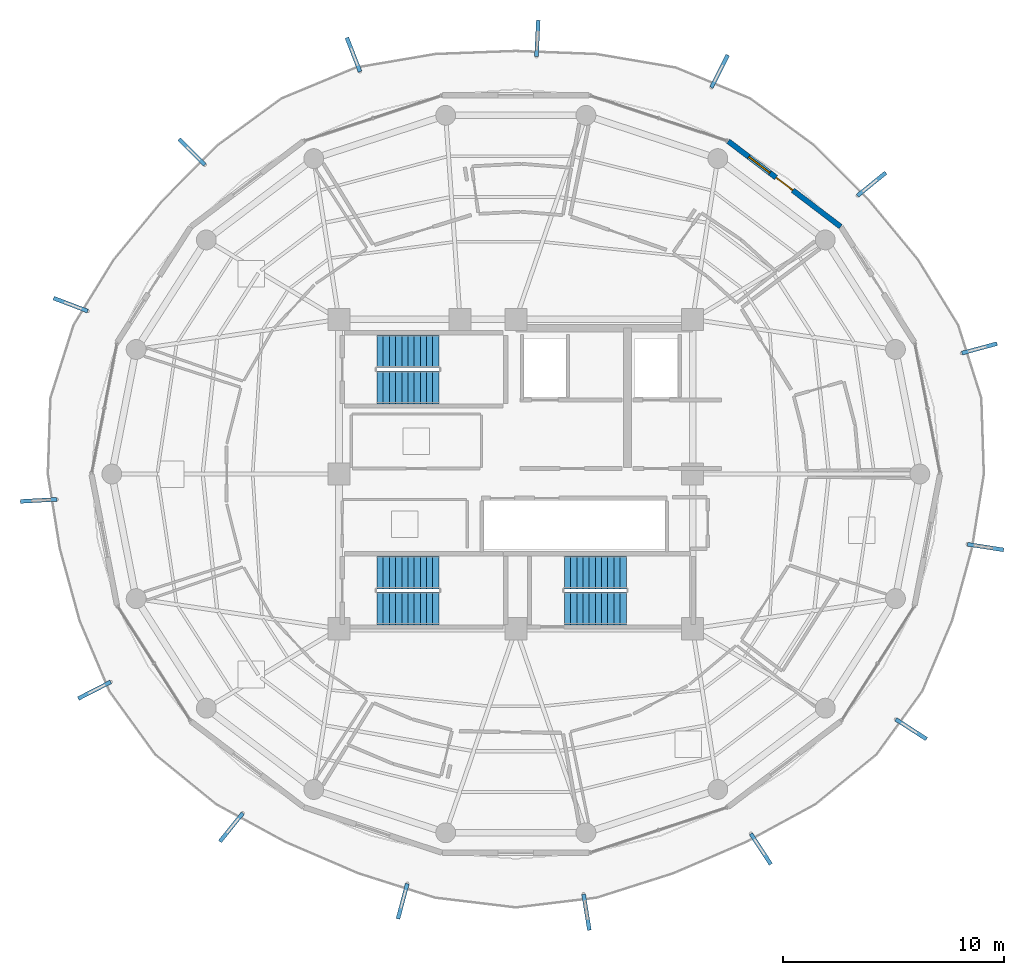
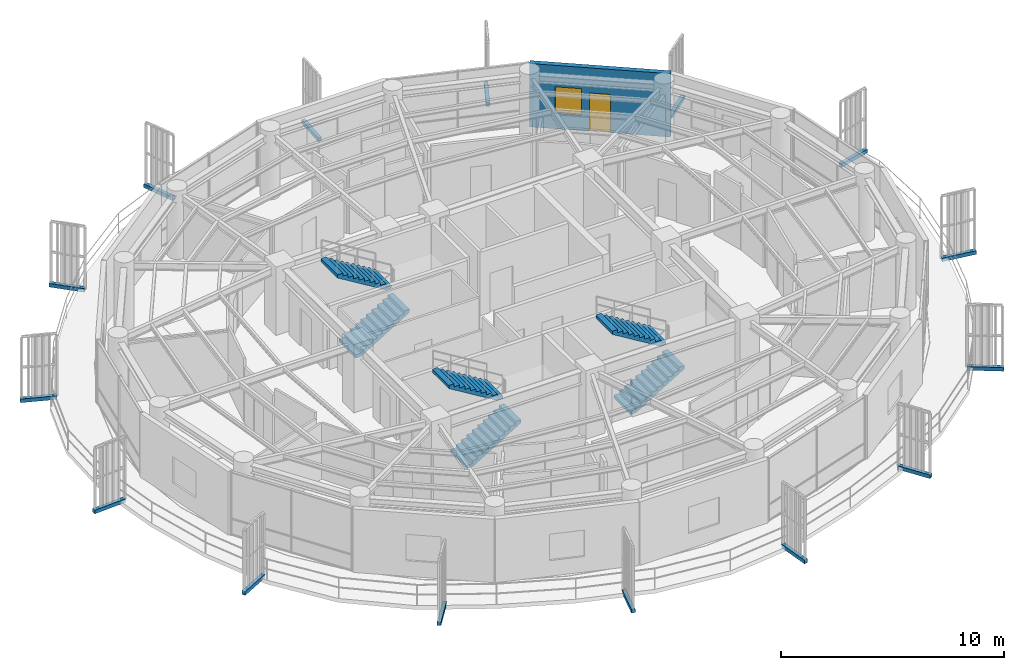
# One storey, part 19 of 23: 15 discrete accessories, 6 stair flights, 1 door, 1 wall, 1 window, 2 openings, 3 elements without a shape of their own.
"""IFC4 building model written with IfcOpenShell, lengths in metres."""

from ifc_helpers import new_model, si_unit, direction, frame, frame_2d, origin, origin_2d, place, context, subcontext, project, spatial, polyline, rectangle, outline, extrude, source, transform, mapped, material, layer, layer_set, type_object, element, fill, aggregate, save


model = new_model("IFC4")

# Units and contexts
model_context = context("Model", 3, precision=1e-05, world=origin(), true_north=direction((0.0, 1.0)))
body_context = subcontext(model_context, "Body", "Model", "MODEL_VIEW")
ifc_project = project(units=[si_unit("LENGTHUNIT", "METRE"), si_unit("AREAUNIT", "SQUARE_METRE"), si_unit("VOLUMEUNIT", "CUBIC_METRE"), si_unit("PLANEANGLEUNIT", "RADIAN"), si_unit("MASSUNIT", "GRAM", prefix="KILO")], contexts=[model_context])

# Site, building, storey
site_placement = place(None, origin())
site = spatial("IfcSite", under=ifc_project, at=site_placement, CompositionType="ELEMENT")
building_placement = place(site_placement, origin())
building = spatial("IfcBuilding", under=site, at=building_placement, Name="Kelanora Arch Commons", CompositionType="ELEMENT")
storey_placement = place(building_placement, frame((0.0, 0.0, 256.199951171875)))
storey = spatial("IfcBuildingStorey", under=building, at=storey_placement, Name="L65", CompositionType="ELEMENT", Elevation=256.199951171875)

# Wall, openings, door, window
ifc_material_1 = material(Name="Precast concrete C40/50 upper-zone terracotta rainscreen", Category="masonry")
ifc_layer = layer(ifc_material_1, 0.239990234375)
ifc_layer_set = layer_set([ifc_layer], Name="Precast concrete C40/50 upper-zone terracotta rainscreen")
wall_type = type_object("IfcWallType", Name="W-EXT-TC2", PredefinedType="SOLIDWALL", material=ifc_layer_set)
wall_placement = place(storey_placement, frame((88.6962890625, 69.193603515625, 0.0), z_axis=(0.0, 0.0, 1.0), x_axis=(-0.796010444211, 0.605282886514, 0.0)))
wall = element("IfcWall", 1, at=wall_placement, inside=storey, type_object=wall_type, Name="Terracotta Exterior Wall L65-B02", PredefinedType="SOLIDWALL", context=body_context, shape_type="SweptSolid", body=[
    extrude(rectangle(XDim=6.387451171875, YDim=0.239990234375, at=frame_2d((3.19384765625, 0.0))), origin(), (0.0, 0.0, 1.0), 3.47509765625),
])
opening_1_placement = place(wall_placement, frame((2.718994140625, 0.0, 0.0)))
opening_1 = element("IfcOpeningElement", 2, at=opening_1_placement, cuts=wall, Name="Opening DB-01", PredefinedType="OPENING", context=body_context, shape_type="SweptSolid", body=[
    extrude(rectangle(XDim=0.949951171875, YDim=2.10009765625, at=frame_2d((0.47509765625, 1.050048828125))), frame((0.0, 0.1298828125, 0.0), z_axis=(0.0, -1.0, 0.0), x_axis=(1.0, 0.0, 0.0)), (0.0, 0.0, 1.0), 0.260009765625),
])
opening_2_placement = place(wall_placement, frame((4.01904296875, 0.0, 0.85009765625)))
opening_2 = element("IfcOpeningElement", 3, at=opening_2_placement, cuts=wall, Name="Opening WN-02", PredefinedType="OPENING", context=body_context, shape_type="SweptSolid", body=[
    extrude(rectangle(XDim=1.199951171875, YDim=1.449951171875, at=frame_2d((0.60009765625, 0.72509765625))), frame((0.0, 0.1298828125, 0.0), z_axis=(0.0, -1.0, 0.0), x_axis=(1.0, 0.0, 0.0)), (0.0, 0.0, 1.0), 0.260009765625),
])
ifc_material_2 = material(Name="Terracotta-aluminium thermally broken glazed balcony door", Category="masonry")
door_type = type_object("IfcDoorType", Name="D-BAL-10", OperationType="NOTDEFINED", PredefinedType="DOOR", material=ifc_material_2)
door_placement = place(opening_1_placement, frame((0.949951171875, 0.0, 0.0), z_axis=(0.0, 0.0, 1.0), x_axis=(-1.0, 0.0, 0.0)))
door = element("IfcDoor", 4, at=door_placement, inside=storey, type_object=door_type, Name="Wave Balcony Door L65-B02", OperationType="SINGLE_SWING_RIGHT", OverallHeight=2.10009765625, OverallWidth=0.949951171875, PredefinedType="DOOR", context=body_context, shape_type="SweptSolid", body=[
    extrude(rectangle(XDim=0.949951171875, YDim=2.10009765625, at=frame_2d((0.47509765625, 1.050048828125))), frame((0.0, 0.02490234375, 0.0), z_axis=(0.0, -1.0, 0.0), x_axis=(1.0, 0.0, 0.0)), (0.0, 0.0, 1.0), 0.050048828125),
])
fill(opening_1, door)
ifc_material_3 = material(Name="Terracotta-anodised aluminium frame with operable awning sash", Category="masonry")
window_type = type_object("IfcWindowType", Name="WIN-CL-12", PartitioningType="SINGLE_PANEL", PredefinedType="WINDOW", material=ifc_material_3)
window_placement = place(opening_2_placement, origin())
window = element("IfcWindow", 5, at=window_placement, inside=storey, type_object=window_type, Name="Co-Living Operable Window L65-B02", OverallHeight=1.449951171875, OverallWidth=1.199951171875, PartitioningType="SINGLE_PANEL", PredefinedType="WINDOW", context=body_context, shape_type="SweptSolid", body=[
    extrude(rectangle(XDim=1.199951171875, YDim=1.449951171875, at=frame_2d((0.60009765625, 0.72509765625))), frame((0.0, 0.030029296875, 0.0), z_axis=(0.0, -1.0, 0.0), x_axis=(1.0, 0.0, 0.0)), (0.0, 0.0, 1.0), 0.06005859375),
])
fill(opening_2, window)

# Stair, stair flights
ifc_material_4 = material(Name="Concrete C40/50", Category="concrete")
stair_type = type_object("IfcStairType", Name="STR-DL-375", PredefinedType="HALF_TURN_STAIR", material=ifc_material_4)
stair_1_placement = place(storey_placement, origin())
stair_1 = element("IfcStair", 6, at=stair_1_placement, inside=storey, type_object=stair_type, Name="L65 ST-T1", PredefinedType="HALF_TURN_STAIR")
stair_flight_type = type_object("IfcStairFlightType", Name="FLT-DL-375", PredefinedType="STRAIGHT", material=ifc_material_4)
stair_flight_1_placement = place(storey_placement, frame((67.719970703125, 61.919921875, 0.0), z_axis=(0.0, 0.0, 1.0), x_axis=(1.0, 0.0, 0.0)))
stair_flight_1 = element("IfcStairFlight", 7, at=stair_flight_1_placement, type_object=stair_flight_type, Name="ST-T1 flight 1", NumberOfRisers=11, NumberOfTreads=10, PredefinedType="STRAIGHT", RiserHeight=0.170454545, TreadLength=0.28, context=body_context, shape_type="SweptSolid", body=[
    extrude(outline(polyline([(0.0, 0.0), (0.0, 0.17041015625), (0.280029296875, 0.17041015625), (0.280029296875, 0.3408203125), (0.56005859375, 0.3408203125), (0.56005859375, 0.511474609375), (0.840087890625, 0.511474609375), (0.840087890625, 0.681884765625), (1.1201171875, 0.681884765625), (1.1201171875, 0.852294921875), (1.39990234375, 0.852294921875), (1.39990234375, 1.022705078125), (1.679931640625, 1.022705078125), (1.679931640625, 1.193115234375), (1.9599609375, 1.193115234375), (1.9599609375, 1.363525390625), (2.239990234375, 1.363525390625), (2.239990234375, 1.5341796875), (2.52001953125, 1.5341796875), (2.52001953125, 1.70458984375), (2.800048828125, 1.70458984375), (2.800048828125, 1.875), (2.800048828125, 1.529052734375), (0.288330078125, 0.0), (0.0, 0.0)])), frame((0.0, 0.739990234375, 0.0), z_axis=(0.0, -1.0, 0.0), x_axis=(1.0, 0.0, 0.0)), (0.0, 0.0, 1.0), 1.47998046875),
])
stair_flight_2_placement = place(storey_placement, frame((70.52001953125, 63.550048828125, 1.875), z_axis=(0.0, 0.0, 1.0), x_axis=(-1.0, 0.0, 0.0)))
stair_flight_2 = element("IfcStairFlight", 8, at=stair_flight_2_placement, type_object=stair_flight_type, Name="ST-T1 flight 2", NumberOfRisers=11, NumberOfTreads=10, PredefinedType="STRAIGHT", RiserHeight=0.170454545, TreadLength=0.28, context=body_context, shape_type="SweptSolid", body=[
    extrude(outline(polyline([(0.0, 0.0), (0.0, 0.17041015625), (0.280029296875, 0.17041015625), (0.280029296875, 0.3408203125), (0.56005859375, 0.3408203125), (0.56005859375, 0.511474609375), (0.840087890625, 0.511474609375), (0.840087890625, 0.681884765625), (1.1201171875, 0.681884765625), (1.1201171875, 0.852294921875), (1.39990234375, 0.852294921875), (1.39990234375, 1.022705078125), (1.679931640625, 1.022705078125), (1.679931640625, 1.193115234375), (1.9599609375, 1.193115234375), (1.9599609375, 1.363525390625), (2.239990234375, 1.363525390625), (2.239990234375, 1.5341796875), (2.52001953125, 1.5341796875), (2.52001953125, 1.70458984375), (2.800048828125, 1.70458984375), (2.800048828125, 1.875), (2.800048828125, 1.529052734375), (0.288330078125, 0.0), (0.0, 0.0)])), frame((0.0, 0.739990234375, 0.0), z_axis=(0.0, -1.0, 0.0), x_axis=(1.0, 0.0, 0.0)), (0.0, 0.0, 1.0), 1.47998046875),
])
aggregate(stair_1, [stair_flight_1, stair_flight_2])

stair_2_placement = place(storey_placement, origin())
stair_2 = element("IfcStair", 9, at=stair_2_placement, inside=storey, type_object=stair_type, Name="L65 ST-T2", PredefinedType="HALF_TURN_STAIR")
stair_flight_3_placement = place(storey_placement, frame((76.199951171875, 51.919921875, 0.0), z_axis=(0.0, 0.0, 1.0), x_axis=(1.0, 0.0, 0.0)))
stair_flight_3 = element("IfcStairFlight", 10, at=stair_flight_3_placement, type_object=stair_flight_type, Name="ST-T2 flight 1", NumberOfRisers=11, NumberOfTreads=10, PredefinedType="STRAIGHT", RiserHeight=0.170454545, TreadLength=0.28, context=body_context, shape_type="SweptSolid", body=[
    extrude(outline(polyline([(0.0, 0.0), (0.0, 0.17041015625), (0.280029296875, 0.17041015625), (0.280029296875, 0.3408203125), (0.56005859375, 0.3408203125), (0.56005859375, 0.511474609375), (0.840087890625, 0.511474609375), (0.840087890625, 0.681884765625), (1.1201171875, 0.681884765625), (1.1201171875, 0.852294921875), (1.39990234375, 0.852294921875), (1.39990234375, 1.022705078125), (1.679931640625, 1.022705078125), (1.679931640625, 1.193115234375), (1.9599609375, 1.193115234375), (1.9599609375, 1.363525390625), (2.239990234375, 1.363525390625), (2.239990234375, 1.5341796875), (2.52001953125, 1.5341796875), (2.52001953125, 1.70458984375), (2.800048828125, 1.70458984375), (2.800048828125, 1.875), (2.800048828125, 1.529052734375), (0.288330078125, 0.0), (0.0, 0.0)])), frame((0.0, 0.739990234375, 0.0), z_axis=(0.0, -1.0, 0.0), x_axis=(1.0, 0.0, 0.0)), (0.0, 0.0, 1.0), 1.47998046875),
])
stair_flight_4_placement = place(storey_placement, frame((79.0, 53.550048828125, 1.875), z_axis=(0.0, 0.0, 1.0), x_axis=(-1.0, 0.0, 0.0)))
stair_flight_4 = element("IfcStairFlight", 11, at=stair_flight_4_placement, type_object=stair_flight_type, Name="ST-T2 flight 2", NumberOfRisers=11, NumberOfTreads=10, PredefinedType="STRAIGHT", RiserHeight=0.170454545, TreadLength=0.28, context=body_context, shape_type="SweptSolid", body=[
    extrude(outline(polyline([(0.0, 0.0), (0.0, 0.17041015625), (0.280029296875, 0.17041015625), (0.280029296875, 0.3408203125), (0.56005859375, 0.3408203125), (0.56005859375, 0.511474609375), (0.840087890625, 0.511474609375), (0.840087890625, 0.681884765625), (1.1201171875, 0.681884765625), (1.1201171875, 0.852294921875), (1.39990234375, 0.852294921875), (1.39990234375, 1.022705078125), (1.679931640625, 1.022705078125), (1.679931640625, 1.193115234375), (1.9599609375, 1.193115234375), (1.9599609375, 1.363525390625), (2.239990234375, 1.363525390625), (2.239990234375, 1.5341796875), (2.52001953125, 1.5341796875), (2.52001953125, 1.70458984375), (2.800048828125, 1.70458984375), (2.800048828125, 1.875), (2.800048828125, 1.529052734375), (0.288330078125, 0.0), (0.0, 0.0)])), frame((0.0, 0.739990234375, 0.0), z_axis=(0.0, -1.0, 0.0), x_axis=(1.0, 0.0, 0.0)), (0.0, 0.0, 1.0), 1.47998046875),
])
aggregate(stair_2, [stair_flight_3, stair_flight_4])

stair_3_placement = place(storey_placement, origin())
stair_3 = element("IfcStair", 12, at=stair_3_placement, inside=storey, type_object=stair_type, Name="L65 ST-T3", PredefinedType="HALF_TURN_STAIR")
stair_flight_5_placement = place(storey_placement, frame((67.719970703125, 51.919921875, 0.0), z_axis=(0.0, 0.0, 1.0), x_axis=(1.0, 0.0, 0.0)))
stair_flight_5 = element("IfcStairFlight", 13, at=stair_flight_5_placement, type_object=stair_flight_type, Name="ST-T3 flight 1", NumberOfRisers=11, NumberOfTreads=10, PredefinedType="STRAIGHT", RiserHeight=0.170454545, TreadLength=0.28, context=body_context, shape_type="SweptSolid", body=[
    extrude(outline(polyline([(0.0, 0.0), (0.0, 0.17041015625), (0.280029296875, 0.17041015625), (0.280029296875, 0.3408203125), (0.56005859375, 0.3408203125), (0.56005859375, 0.511474609375), (0.840087890625, 0.511474609375), (0.840087890625, 0.681884765625), (1.1201171875, 0.681884765625), (1.1201171875, 0.852294921875), (1.39990234375, 0.852294921875), (1.39990234375, 1.022705078125), (1.679931640625, 1.022705078125), (1.679931640625, 1.193115234375), (1.9599609375, 1.193115234375), (1.9599609375, 1.363525390625), (2.239990234375, 1.363525390625), (2.239990234375, 1.5341796875), (2.52001953125, 1.5341796875), (2.52001953125, 1.70458984375), (2.800048828125, 1.70458984375), (2.800048828125, 1.875), (2.800048828125, 1.529052734375), (0.288330078125, 0.0), (0.0, 0.0)])), frame((0.0, 0.739990234375, 0.0), z_axis=(0.0, -1.0, 0.0), x_axis=(1.0, 0.0, 0.0)), (0.0, 0.0, 1.0), 1.47998046875),
])
stair_flight_6_placement = place(storey_placement, frame((70.52001953125, 53.550048828125, 1.875), z_axis=(0.0, 0.0, 1.0), x_axis=(-1.0, 0.0, 0.0)))
stair_flight_6 = element("IfcStairFlight", 14, at=stair_flight_6_placement, type_object=stair_flight_type, Name="ST-T3 flight 2", NumberOfRisers=11, NumberOfTreads=10, PredefinedType="STRAIGHT", RiserHeight=0.170454545, TreadLength=0.28, context=body_context, shape_type="SweptSolid", body=[
    extrude(outline(polyline([(0.0, 0.0), (0.0, 0.17041015625), (0.280029296875, 0.17041015625), (0.280029296875, 0.3408203125), (0.56005859375, 0.3408203125), (0.56005859375, 0.511474609375), (0.840087890625, 0.511474609375), (0.840087890625, 0.681884765625), (1.1201171875, 0.681884765625), (1.1201171875, 0.852294921875), (1.39990234375, 0.852294921875), (1.39990234375, 1.022705078125), (1.679931640625, 1.022705078125), (1.679931640625, 1.193115234375), (1.9599609375, 1.193115234375), (1.9599609375, 1.363525390625), (2.239990234375, 1.363525390625), (2.239990234375, 1.5341796875), (2.52001953125, 1.5341796875), (2.52001953125, 1.70458984375), (2.800048828125, 1.70458984375), (2.800048828125, 1.875), (2.800048828125, 1.529052734375), (0.288330078125, 0.0), (0.0, 0.0)])), frame((0.0, 0.739990234375, 0.0), z_axis=(0.0, -1.0, 0.0), x_axis=(1.0, 0.0, 0.0)), (0.0, 0.0, 1.0), 1.47998046875),
])
aggregate(stair_3, [stair_flight_5, stair_flight_6])

# Discrete accessories
ifc_material_5 = material(Name="Stainless steel 316 marine fin bracket", Category="steel")
discrete_accessory_type = type_object("IfcDiscreteAccessoryType", Name="ACC-FIN-BRK", PredefinedType="BRACKET", material=ifc_material_5)
shared_shape = source(origin(), body_context, "Body", "SweptSolid", [
    extrude(rectangle(XDim=1.648193359375, YDim=0.179931640625, at=origin_2d()), origin(), (0.0, 0.0, 1.0), 0.199951171875),
])
for number, where, z_axis, x_axis, name in (
    (15, (91.8876953125, 46.455810546875, -0.16015625), (0.0, 0.0, 1.0), (0.840188215011, -0.542294904417, 0.0), "Sweeping Fin Cantilever Spine Bracket L65-00"),
    (16, (95.253662109375, 54.69580078125, -0.16015625), (0.0, 0.0, 1.0), (0.988121336368, -0.153675712507, 0.0), "Sweeping Fin Cantilever Spine Bracket L65-01"),
    (17, (94.978515625, 63.685302734375, -0.16015625), (0.0, 0.0, 1.0), (0.965199301866, 0.261515406195, 0.0), "Sweeping Fin Cantilever Spine Bracket L65-02"),
    (18, (90.100341796875, 71.11376953125, -0.16015625), (0.0, 0.0, 1.0), (0.775385539511, 0.631488135373, 0.0), "Sweeping Fin Cantilever Spine Bracket L65-03"),
    (19, (83.219482421875, 76.222412109375, -0.16015625), (0.0, 0.0, 1.0), (0.451500573218, 0.892270829056, 0.0), "Sweeping Fin Cantilever Spine Bracket L65-04"),
    (20, (74.976806640625, 77.7109375, -0.16015625), (0.0, 0.0, 1.0), (0.049547056062, 0.998771790368, 0.0), "Sweeping Fin Cantilever Spine Bracket L65-05"),
    (21, (66.654296875, 76.97509765625, -0.16015625), (0.0, 0.0, 1.0), (-0.360973597208, 0.93257603557, 0.0), "Sweeping Fin Cantilever Spine Bracket L65-06"),
    (22, (59.34423828125, 72.572509765625, -0.16015625), (0.0, 0.0, 1.0), (-0.709078636179, 0.705129412033, 0.0), "Sweeping Fin Cantilever Spine Bracket L65-07"),
    (23, (53.85986328125, 65.66552734375, -0.16015625), (0.0, 0.0, 1.0), (-0.934577537177, 0.355759507257, 0.0), "Sweeping Fin Cantilever Spine Bracket L65-08"),
    (24, (52.41015625, 56.806884765625, -0.16015625), (0.0, 0.0, 1.0), (-0.998479491627, -0.055124448298, 0.0), "Sweeping Fin Cantilever Spine Bracket L65-09"),
    (25, (54.93994140625, 48.219970703125, -0.16015625), (0.0, 0.0, 1.0), (-0.889735271073, -0.456476885952, 0.0), "Sweeping Fin Cantilever Spine Bracket L65-10"),
    (26, (61.13037109375, 42.014404296875, -0.16015625), (0.0, 0.0, 1.0), (-0.62714773916, -0.778900323063, 0.0), "Sweeping Fin Cantilever Spine Bracket L65-11"),
    (27, (68.879638671875, 38.67041015625, -0.16015625), (0.0, 0.0, 1.0), (-0.256120665687, -0.966644818229, 0.0), "Sweeping Fin Cantilever Spine Bracket L65-12"),
    (28, (77.19775390625, 38.174560546875, -0.16015625), (0.0, 0.0, 1.0), (0.159191997666, -0.98724764263, 0.0), "Sweeping Fin Cantilever Spine Bracket L65-13"),
    (29, (85.086181640625, 41.034912109375, -0.16015625), (0.0, 0.0, 1.0), (0.546978918409, -0.837146380758, 0.0), "Sweeping Fin Cantilever Spine Bracket L65-14"),
):
    element("IfcDiscreteAccessory", number, at=place(storey_placement, frame(where, z_axis=z_axis, x_axis=x_axis)), inside=storey, type_object=discrete_accessory_type, Name=name, PredefinedType="BRACKET", context=body_context, shape_type="MappedRepresentation", body=[
        mapped(shared_shape, transform((0.0, 0.0, 0.0), scale=1.0)),
    ])

save(model, "model.ifc")
